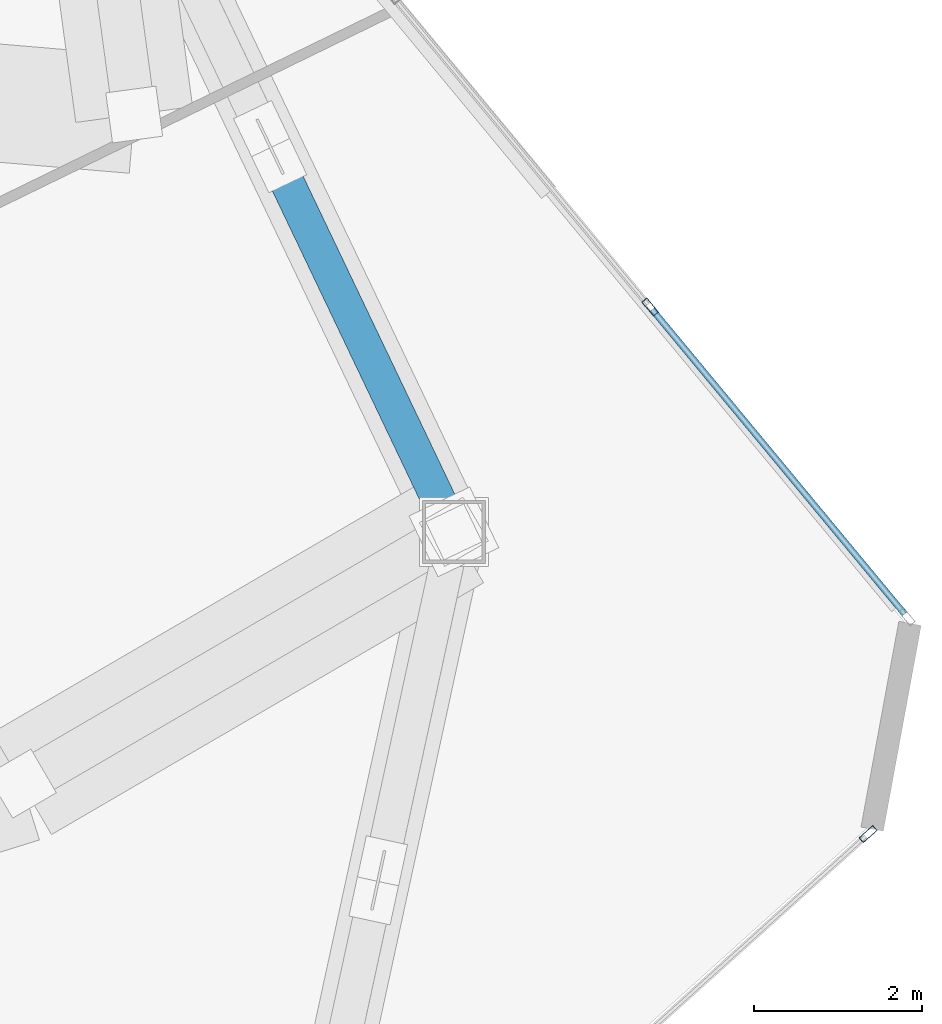
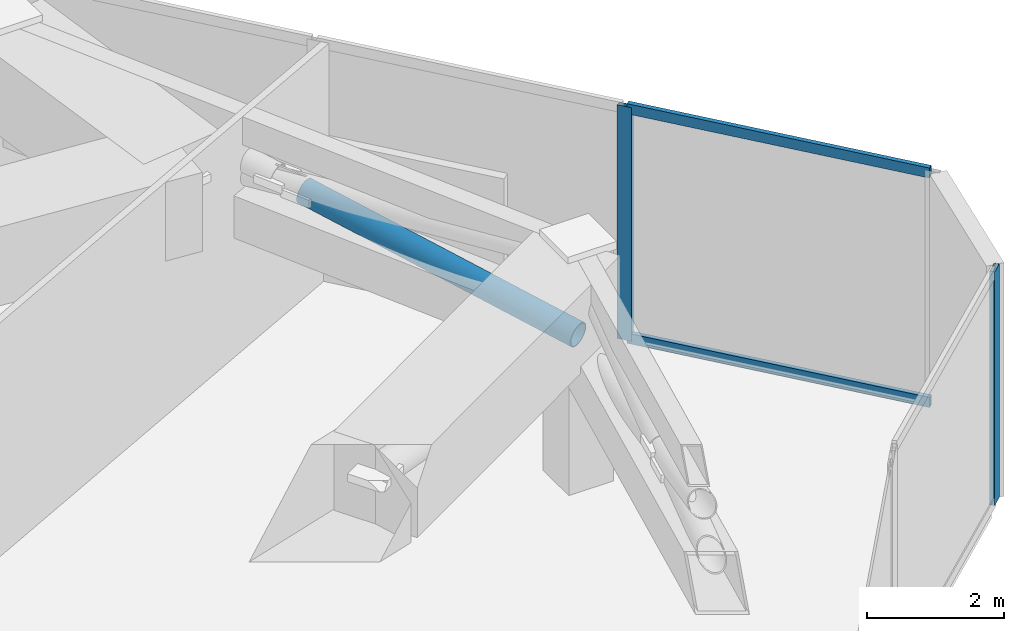
# One storey, part 13 of 25: 5 members, 2 elements without a shape of their own.
"""IFC4 building model written with IfcOpenShell, lengths in metres."""

import ifcopenshell
import ifcopenshell.guid

model = None  # the IFC model being written
_history = None  # IfcOwnerHistory: only IFC2X3 demands one
_inside = {}  # id of a spatial element -> (the spatial element, [elements in it])
_under = {}  # id of a project, library or spatial element -> (it, [spatial elements below it])
_declared = {}  # id of a project -> (the project, [libraries it declares])
_typed = {}  # id of a type object -> (the type object, [elements of that type])
_made_of = {}  # id of a material, layer set ... -> (it, [elements and type objects made of it])


def new_model(schema):
    """Start an empty IFC model of exactly this schema.

    Asked for "IFC4X3", IfcOpenShell would pick the latest addendum, in which some entities
    have other attributes; the version numbers below select the first issue.
    IFC2X3 requires an IfcOwnerHistory on every rooted entity: one is made here for all.
    """
    global model, _history
    if schema == "IFC4X3":
        model = ifcopenshell.file(schema_version=(4, 3, 0, 0))
    else:
        model = ifcopenshell.file(schema=schema)
    _inside.clear()
    _under.clear()
    _declared.clear()
    _typed.clear()
    _made_of.clear()
    _history = None
    if model.schema == "IFC2X3":
        org = make("IfcOrganization", Name="unknown")
        user = make(
            "IfcPersonAndOrganization",
            ThePerson=make("IfcPerson", FamilyName="unknown"),
            TheOrganization=org,
        )
        app = make(
            "IfcApplication",
            ApplicationDeveloper=org,
            Version="unknown",
            ApplicationFullName="unknown",
            ApplicationIdentifier="unknown",
        )
        _history = make(
            "IfcOwnerHistory",
            OwningUser=user,
            OwningApplication=app,
            ChangeAction="ADDED",
            CreationDate=0,
        )
    return model


def make(cls, **values):
    """One entity of the class cls with the attributes given. An attribute that is None is left unset."""
    return model.create_entity(
        cls, **{name: value for name, value in values.items() if value is not None}
    )


def rooted(cls, **values):
    """An entity with a GlobalId (a new one), such as an element, a storey or a relation."""
    return make(cls, GlobalId=ifcopenshell.guid.new(), OwnerHistory=_history, **values)


def si_unit(unit_type, name, prefix=None):
    """IfcSIUnit, for example si_unit("LENGTHUNIT", "METRE", prefix="MILLI")."""
    return make("IfcSIUnit", UnitType=unit_type, Prefix=prefix, Name=name)


def assignment(units):
    """IfcUnitAssignment: the units of a project."""
    return None if units is None else make("IfcUnitAssignment", Units=units)


def point(xyz):
    """IfcCartesianPoint."""
    return None if xyz is None else make("IfcCartesianPoint", Coordinates=xyz)


def direction(xyz):
    """IfcDirection."""
    return None if xyz is None else make("IfcDirection", DirectionRatios=xyz)


def frame(location, z_axis=None, x_axis=None):
    """IfcAxis2Placement3D, a coordinate frame: its origin and axes. An axis left out is left unset."""
    return make(
        "IfcAxis2Placement3D",
        Location=point(location),
        Axis=direction(z_axis),
        RefDirection=direction(x_axis),
    )


def frame_2d(location, x_axis=None):
    """IfcAxis2Placement2D, a coordinate frame in the plane: its origin and x axis."""
    return make(
        "IfcAxis2Placement2D", Location=point(location), RefDirection=direction(x_axis)
    )


def origin():
    """The frame at (0, 0, 0) with its axes left unset."""
    return frame((0.0, 0.0, 0.0))


def origin_2d():
    """The frame at (0, 0) in the plane with its x axis left unset."""
    return frame_2d((0.0, 0.0))


def place(relative_to, where):
    """IfcLocalPlacement: puts the frame where relative to a parent placement (None: the world)."""
    return make(
        "IfcLocalPlacement", PlacementRelTo=relative_to, RelativePlacement=where
    )


def context(
    kind, dimensions, precision=None, world=None, true_north=None, identifier=None
):
    """IfcGeometricRepresentationContext, for example the 3D "Model" context."""
    return make(
        "IfcGeometricRepresentationContext",
        ContextIdentifier=identifier,
        ContextType=kind,
        CoordinateSpaceDimension=dimensions,
        Precision=precision,
        WorldCoordinateSystem=world,
        TrueNorth=true_north,
    )


def subcontext(parent, identifier, kind, view, scale=None):
    """IfcGeometricRepresentationSubContext, for example "Body" below "Model"."""
    return make(
        "IfcGeometricRepresentationSubContext",
        ContextIdentifier=identifier,
        ContextType=kind,
        ParentContext=parent,
        TargetScale=scale,
        TargetView=view,
    )


def project(units=None, contexts=None):
    """IfcProject with its units and contexts."""
    return rooted(
        "IfcProject",
        Name="project",
        RepresentationContexts=contexts,
        UnitsInContext=assignment(units),
    )


def spatial(cls, under=None, at=None, **own):
    """A site, building, storey or space (cls), placed at a placement, below another one or the project."""
    s = rooted(cls, ObjectPlacement=at, **own)
    if under is not None:
        _under.setdefault(under.id(), (under, []))[1].append(s)
    return s


def profile(cls, at=None, kind="AREA", **sizes):
    """A parametric profile (cls). Its sizes go by their IFC names, for example OverallWidth=200.0."""
    return make(cls, ProfileType=kind, Position=at, **sizes)


def hollow_rectangle(**sizes):
    """IfcRectangleHollowProfileDef."""
    return profile("IfcRectangleHollowProfileDef", **sizes)


def hollow_circle(**sizes):
    """IfcCircleHollowProfileDef."""
    return profile("IfcCircleHollowProfileDef", **sizes)


def extrude(swept, where, along, depth):
    """IfcExtrudedAreaSolid: the profile swept, set in the frame where, extruded along a direction by depth."""
    return make(
        "IfcExtrudedAreaSolid",
        SweptArea=swept,
        Position=where,
        ExtrudedDirection=direction(along),
        Depth=depth,
    )


def shape(context_of_items, identifier, shape_type, items):
    """IfcShapeRepresentation: the items that make up one representation, for example the "Body"."""
    return make(
        "IfcShapeRepresentation",
        ContextOfItems=context_of_items,
        RepresentationIdentifier=identifier,
        RepresentationType=shape_type,
        Items=items,
    )


def source(mapping_origin, context_of_items, identifier, shape_type, items):
    """IfcRepresentationMap: a shape defined once, which mapped items show again and again."""
    return make(
        "IfcRepresentationMap",
        MappingOrigin=mapping_origin,
        MappedRepresentation=shape(context_of_items, identifier, shape_type, items),
    )


def transform(
    local_origin,
    x_axis=None,
    y_axis=None,
    z_axis=None,
    scale=None,
    scale2=None,
    scale3=None,
    uniform=True,
):
    """IfcCartesianTransformationOperator3D, or its non-uniform kind. x_axis, y_axis, z_axis: its Axis1, 2, 3."""
    if uniform:
        return make(
            "IfcCartesianTransformationOperator3D",
            Axis1=direction(x_axis),
            Axis2=direction(y_axis),
            LocalOrigin=point(local_origin),
            Scale=scale,
            Axis3=direction(z_axis),
        )
    return make(
        "IfcCartesianTransformationOperator3DnonUniform",
        Axis1=direction(x_axis),
        Axis2=direction(y_axis),
        LocalOrigin=point(local_origin),
        Scale=scale,
        Axis3=direction(z_axis),
        Scale2=scale2,
        Scale3=scale3,
    )


def mapped(mapping_source, mapping_target):
    """IfcMappedItem: shows the shape of a source again, moved by a transform."""
    return make(
        "IfcMappedItem", MappingSource=mapping_source, MappingTarget=mapping_target
    )


def material(Name=None, Category=None):
    """IfcMaterial."""
    return make("IfcMaterial", Name=Name, Category=Category)


def layer(
    of_material, thickness, ventilated=None, Name=None, Category=None, Priority=None
):
    """IfcMaterialLayer: one layer of a wall or slab, of a material (None: an air gap)."""
    return make(
        "IfcMaterialLayer",
        Material=of_material,
        LayerThickness=thickness,
        IsVentilated=ventilated,
        Name=Name,
        Category=Category,
        Priority=Priority,
    )


def layer_set(layers, Name=None):
    """IfcMaterialLayerSet."""
    return make("IfcMaterialLayerSet", MaterialLayers=layers, LayerSetName=Name)


def material_profile(
    of_material, cross_section, Name=None, Category=None, Priority=None
):
    """IfcMaterialProfile: a cross section and its material."""
    return make(
        "IfcMaterialProfile",
        Name=Name,
        Material=of_material,
        Profile=cross_section,
        Priority=Priority,
        Category=Category,
    )


def profile_set(profiles, Name=None, composite=None):
    """IfcMaterialProfileSet."""
    return make(
        "IfcMaterialProfileSet",
        Name=Name,
        MaterialProfiles=profiles,
        CompositeProfile=composite,
    )


def made_of(thing, what):
    """Note that an element or type object is made of a material, layer set ...; save() writes the relation."""
    if what is not None:
        _made_of.setdefault(what.id(), (what, []))[1].append(thing)
    return thing


def type_object(cls, material=None, **own):
    """A type object (cls), such as IfcWallType, which elements share."""
    return made_of(rooted(cls, **own), material)


def type_shapes(of_type, sources):
    """Give a type object the sources (RepresentationMaps) that its elements show as mapped items."""
    of_type.RepresentationMaps = sources


def element(
    cls,
    number,
    at=None,
    inside=None,
    cuts=None,
    type_object=None,
    material=None,
    context=None,
    identifier="Body",
    shape_type=None,
    held_by="IfcProductDefinitionShape",
    body=None,
    shapes=None,
    **own,
):
    """One element of the class cls, such as IfcWall. Its Tag is "e" and its number.

    at: its placement. inside: the storey or other place that contains it. cuts: it is an
    opening in that element (IfcRelVoidsElement). A single representation is given by context,
    identifier, shape_type and body (its items); several are given by shapes. held_by: the class
    of the entity that holds the representations. save() writes the other relations.
    """
    e = rooted(cls, Tag="e%d" % number, ObjectPlacement=at, **own)
    if body is not None:
        shapes = [shape(context, identifier, shape_type, body)]
    if shapes is not None:
        e.Representation = make(held_by, Representations=shapes)
    if inside is not None:
        _inside.setdefault(inside.id(), (inside, []))[1].append(e)
    if cuts is not None:
        rooted(
            "IfcRelVoidsElement", RelatingBuildingElement=cuts, RelatedOpeningElement=e
        )
    if type_object is not None:
        _typed.setdefault(type_object.id(), (type_object, []))[1].append(e)
    return made_of(e, material)


def aggregate(whole, parts):
    """IfcRelAggregates: a whole, such as a stair, and the parts it consists of."""
    return rooted("IfcRelAggregates", RelatingObject=whole, RelatedObjects=parts)


def save(model, path):
    """Write the relations noted so far, then the file.

    IfcRelAggregates (storeys below a building ...), IfcRelContainedInSpatialStructure (elements
    in a storey), IfcRelDefinesByType, IfcRelAssociatesMaterial and IfcRelDeclares: one each for
    every whole, place, type object, material and project.
    """
    for whole, parts in _under.values():
        aggregate(whole, parts)
    for where, things in _inside.values():
        rooted(
            "IfcRelContainedInSpatialStructure",
            RelatedElements=things,
            RelatingStructure=where,
        )
    for kind, things in _typed.values():
        rooted("IfcRelDefinesByType", RelatedObjects=things, RelatingType=kind)
    for what, things in _made_of.values():
        rooted("IfcRelAssociatesMaterial", RelatedObjects=things, RelatingMaterial=what)
    for by, libraries in _declared.values():
        rooted("IfcRelDeclares", RelatingContext=by, RelatedDefinitions=libraries)
    model.write(path)


model = new_model("IFC4")

# Units and contexts
model_context = context("Model", 3, precision=1e-05, world=origin(), true_north=direction((0.0, 1.0)))
body_context = subcontext(model_context, "Body", "Model", "MODEL_VIEW")
ifc_project = project(units=[si_unit("LENGTHUNIT", "METRE"), si_unit("AREAUNIT", "SQUARE_METRE"), si_unit("VOLUMEUNIT", "CUBIC_METRE"), si_unit("PLANEANGLEUNIT", "RADIAN"), si_unit("MASSUNIT", "GRAM", prefix="KILO")], contexts=[model_context])

# Site, building, storey
site_placement = place(None, origin())
site = spatial("IfcSite", under=ifc_project, at=site_placement, CompositionType="ELEMENT")
building_placement = place(site_placement, origin())
building = spatial("IfcBuilding", under=site, at=building_placement, Name="Talar Marvaseh", CompositionType="ELEMENT")
storey_placement = place(building_placement, frame((0.0, 0.0, 84.800048828125)))
storey = spatial("IfcBuildingStorey", under=building, at=storey_placement, Name="L21", CompositionType="ELEMENT", Elevation=84.800048828125)

# Member
ifc_material_1 = material(Name="Steel S460", Category="steel")
ifc_material_profile_1 = material_profile(ifc_material_1, hollow_circle(Radius=0.203125, WallThickness=0.01611328125, at=origin_2d()), Name="CHS406x16")
ifc_profile_set_1 = profile_set([ifc_material_profile_1], Name="Steel S460")
member_type_1 = type_object("IfcMemberType", Name="Belt Truss Diagonal Brace CHS406x16", PredefinedType="BRACE", material=ifc_profile_set_1)
shared_shape_1 = source(origin(), body_context, "Body", "SweptSolid", [
    extrude(hollow_circle(Radius=0.203125, WallThickness=0.01611328125, at=origin_2d()), origin(), (0.0, 0.0, 1.0), 4.87353515625),
])
type_shapes(member_type_1, [shared_shape_1])
member_1_placement = place(storey_placement, frame((46.841064453125, 31.118896484375, 2.5), z_axis=(-0.426711979223, 0.89470250633, 0.132001181645), x_axis=(-0.902600660232, -0.430478859119, 0.0)))
element("IfcMember", 1, at=member_1_placement, inside=storey, type_object=member_type_1, Name="L21 Belt Truss Split Diagonal Lower 1", PredefinedType="BRACE", context=body_context, shape_type="MappedRepresentation", body=[
    mapped(shared_shape_1, transform((0.0, 0.0, 0.0), x_axis=(1.0, 0.0, 0.0), y_axis=(0.0, 1.0, 0.0), z_axis=(0.0, 0.0, 1.0), scale=1.0)),
])

# Curtain wall, members
ifc_material_2 = material(Name="Architectural Aluminium", Category="aluminium")
ifc_layer = layer(ifc_material_2, 0.219970703125)
ifc_layer_set = layer_set([ifc_layer], Name="Architectural Aluminium")
curtain_wall_type = type_object("IfcCurtainWallType", Name="Unitised Low-E Museum Curtain Wall Z1", PredefinedType="NOTDEFINED", material=ifc_layer_set)
curtain_wall_1_placement = place(storey_placement, origin())
curtain_wall_1 = element("IfcCurtainWall", 2, at=curtain_wall_1_placement, inside=storey, type_object=curtain_wall_type, Name="L21 Unitised Low-E Museum Curtain Wall Z1", PredefinedType="NOTDEFINED")
ifc_material_profile_2 = material_profile(ifc_material_2, hollow_rectangle(XDim=0.074951171875, YDim=0.179931640625, WallThickness=0.0048828125, at=origin_2d()), Name="RHS180x75x5")
ifc_profile_set_2 = profile_set([ifc_material_profile_2], Name="Architectural Aluminium")
member_type_2 = type_object("IfcMemberType", Name="Unitised Curtain Wall Transom RHS180x75x5", PredefinedType="USERDEFINED", material=ifc_profile_set_2)
shared_shape_2 = source(origin(), body_context, "Body", "SweptSolid", [
    extrude(hollow_rectangle(XDim=0.074951171875, YDim=0.179931640625, WallThickness=0.0048828125, at=origin_2d()), origin(), (0.0, 0.0, 1.0), 4.696533203125),
])
type_shapes(member_type_2, [shared_shape_2])
member_2_placement = place(storey_placement, frame((49.198486328125, 33.75830078125, 0.037353515625), z_axis=(0.638142026634, -0.769918667031, 0.0), x_axis=(0.769918667031, 0.638142026634, 0.0)))
member_2 = element("IfcMember", 3, at=member_2_placement, type_object=member_type_2, Name="CW-Z1 transom 4.1", ObjectType="TRANSOM", PredefinedType="USERDEFINED", context=body_context, shape_type="MappedRepresentation", body=[
    mapped(shared_shape_2, transform((0.0, 0.0, 0.0), x_axis=(1.0, 0.0, 0.0), y_axis=(0.0, 1.0, 0.0), z_axis=(0.0, 0.0, 1.0), scale=1.0)),
])
member_3_placement = place(storey_placement, frame((49.198486328125, 33.75830078125, 4.112548828125), z_axis=(0.638142026634, -0.769918667031, 0.0), x_axis=(0.769918667031, 0.638142026634, 0.0)))
member_3 = element("IfcMember", 4, at=member_3_placement, type_object=member_type_2, Name="CW-Z1 transom 4.2", ObjectType="TRANSOM", PredefinedType="USERDEFINED", context=body_context, shape_type="MappedRepresentation", body=[
    mapped(shared_shape_2, transform((0.0, 0.0, 0.0), x_axis=(1.0, 0.0, 0.0), y_axis=(0.0, 1.0, 0.0), z_axis=(0.0, 0.0, 1.0), scale=1.0)),
])
ifc_material_profile_3 = material_profile(ifc_material_2, hollow_rectangle(XDim=0.080078125, YDim=0.219970703125, WallThickness=0.0048828125, at=origin_2d()), Name="RHS220x80x5")
ifc_profile_set_3 = profile_set([ifc_material_profile_3], Name="Architectural Aluminium")
member_type_3 = type_object("IfcMemberType", Name="Unitised Curtain Wall Heavy Mullion RHS220x80x5", PredefinedType="MULLION", material=ifc_profile_set_3)
shared_shape_3 = source(origin(), body_context, "Body", "SweptSolid", [
    extrude(hollow_rectangle(XDim=0.080078125, YDim=0.219970703125, WallThickness=0.0048828125, at=origin_2d()), origin(), (0.0, 0.0, 1.0), 4.14990234375),
])
type_shapes(member_type_3, [shared_shape_3])
member_4_placement = place(storey_placement, frame((49.173095703125, 33.7890625, 0.0), z_axis=(0.0, 0.0, 1.0), x_axis=(0.769914815745, 0.638146673184, 0.0)))
member_4 = element("IfcMember", 5, at=member_4_placement, type_object=member_type_3, Name="CW-Z1 mullion 4", PredefinedType="MULLION", context=body_context, shape_type="MappedRepresentation", body=[
    mapped(shared_shape_3, transform((0.0, 0.0, 0.0), x_axis=(1.0, 0.0, 0.0), y_axis=(0.0, 1.0, 0.0), z_axis=(0.0, 0.0, 1.0), scale=1.0)),
])
aggregate(curtain_wall_1, [member_4, member_2, member_3])

# Curtain wall, member
curtain_wall_2_placement = place(storey_placement, origin())
curtain_wall_2 = element("IfcCurtainWall", 6, at=curtain_wall_2_placement, inside=storey, type_object=curtain_wall_type, Name="L21 Unitised Low-E Museum Curtain Wall Z1", PredefinedType="NOTDEFINED")
member_5_placement = place(storey_placement, frame((51.761474609375, 27.528076171875, 0.0), z_axis=(0.0, 0.0, 1.0), x_axis=(0.669016040785, -0.743247964796, 0.0)))
member_5 = element("IfcMember", 7, at=member_5_placement, type_object=member_type_3, Name="CW-Z1 mullion 1", PredefinedType="MULLION", context=body_context, shape_type="MappedRepresentation", body=[
    mapped(shared_shape_3, transform((0.0, 0.0, 0.0), x_axis=(1.0, 0.0, 0.0), y_axis=(0.0, 1.0, 0.0), z_axis=(0.0, 0.0, 1.0), scale=1.0)),
])
aggregate(curtain_wall_2, [member_5])

save(model, "model.ifc")
